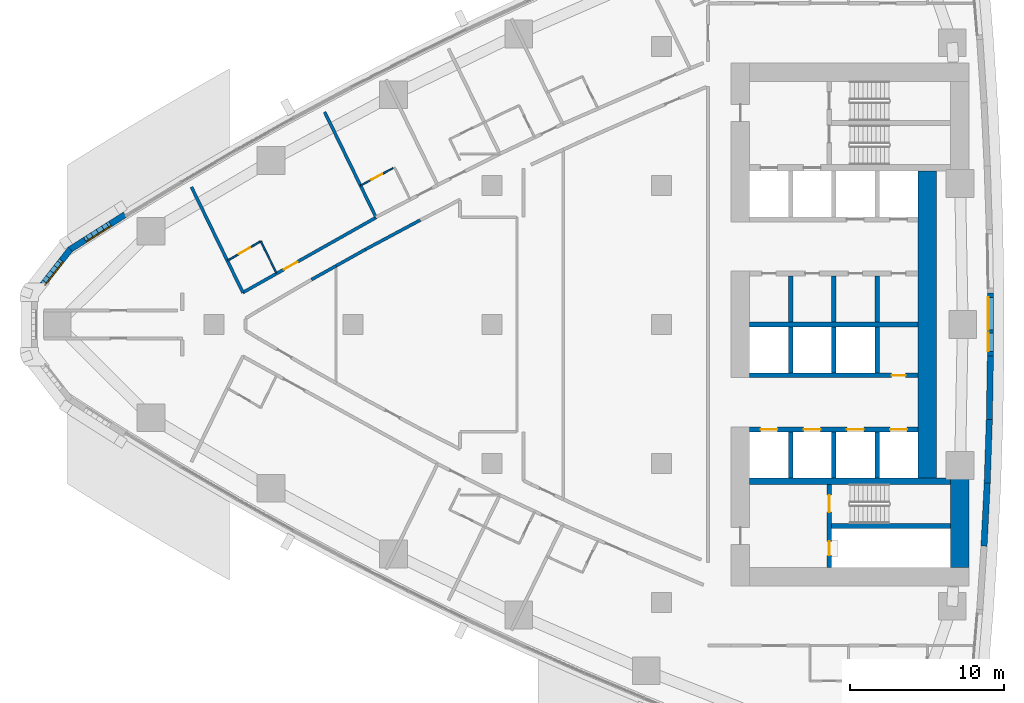
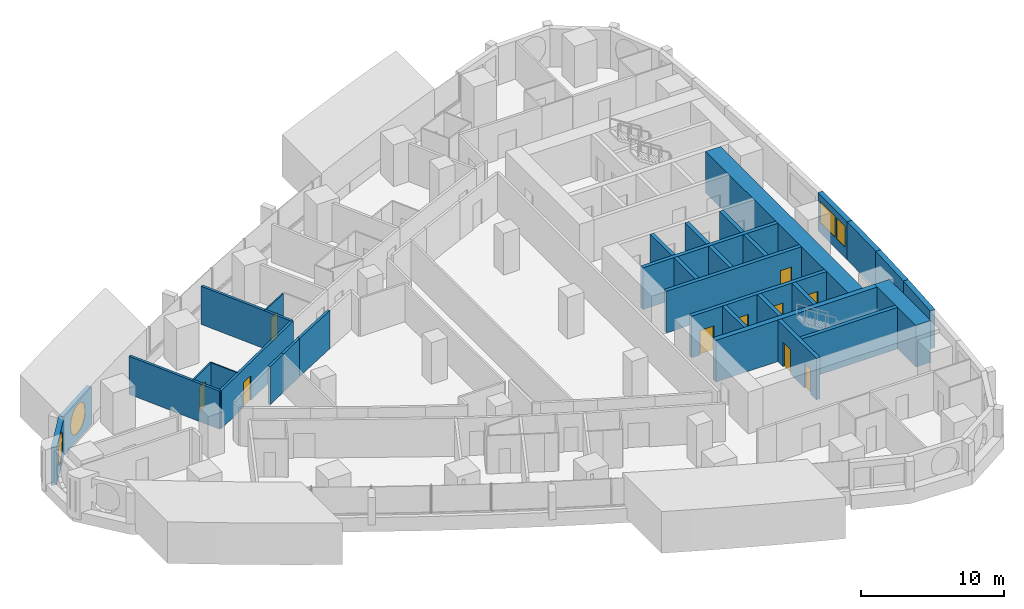
# One storey, part 11 of 19: 32 walls, 10 doors, 4 windows, 14 openings.
"""IFC4 building model written with IfcOpenShell, lengths in metres."""

import ifcopenshell
import ifcopenshell.guid

model = None  # the IFC model being written
_history = None  # IfcOwnerHistory: only IFC2X3 demands one
_inside = {}  # id of a spatial element -> (the spatial element, [elements in it])
_under = {}  # id of a project, library or spatial element -> (it, [spatial elements below it])
_declared = {}  # id of a project -> (the project, [libraries it declares])
_typed = {}  # id of a type object -> (the type object, [elements of that type])
_made_of = {}  # id of a material, layer set ... -> (it, [elements and type objects made of it])


def new_model(schema):
    """Start an empty IFC model of exactly this schema.

    Asked for "IFC4X3", IfcOpenShell would pick the latest addendum, in which some entities
    have other attributes; the version numbers below select the first issue.
    IFC2X3 requires an IfcOwnerHistory on every rooted entity: one is made here for all.
    """
    global model, _history
    if schema == "IFC4X3":
        model = ifcopenshell.file(schema_version=(4, 3, 0, 0))
    else:
        model = ifcopenshell.file(schema=schema)
    _inside.clear()
    _under.clear()
    _declared.clear()
    _typed.clear()
    _made_of.clear()
    _history = None
    if model.schema == "IFC2X3":
        org = make("IfcOrganization", Name="unknown")
        user = make(
            "IfcPersonAndOrganization",
            ThePerson=make("IfcPerson", FamilyName="unknown"),
            TheOrganization=org,
        )
        app = make(
            "IfcApplication",
            ApplicationDeveloper=org,
            Version="unknown",
            ApplicationFullName="unknown",
            ApplicationIdentifier="unknown",
        )
        _history = make(
            "IfcOwnerHistory",
            OwningUser=user,
            OwningApplication=app,
            ChangeAction="ADDED",
            CreationDate=0,
        )
    return model


def make(cls, **values):
    """One entity of the class cls with the attributes given. An attribute that is None is left unset."""
    return model.create_entity(
        cls, **{name: value for name, value in values.items() if value is not None}
    )


def rooted(cls, **values):
    """An entity with a GlobalId (a new one), such as an element, a storey or a relation."""
    return make(cls, GlobalId=ifcopenshell.guid.new(), OwnerHistory=_history, **values)


def si_unit(unit_type, name, prefix=None):
    """IfcSIUnit, for example si_unit("LENGTHUNIT", "METRE", prefix="MILLI")."""
    return make("IfcSIUnit", UnitType=unit_type, Prefix=prefix, Name=name)


def assignment(units):
    """IfcUnitAssignment: the units of a project."""
    return None if units is None else make("IfcUnitAssignment", Units=units)


def point(xyz):
    """IfcCartesianPoint."""
    return None if xyz is None else make("IfcCartesianPoint", Coordinates=xyz)


def direction(xyz):
    """IfcDirection."""
    return None if xyz is None else make("IfcDirection", DirectionRatios=xyz)


def frame(location, z_axis=None, x_axis=None):
    """IfcAxis2Placement3D, a coordinate frame: its origin and axes. An axis left out is left unset."""
    return make(
        "IfcAxis2Placement3D",
        Location=point(location),
        Axis=direction(z_axis),
        RefDirection=direction(x_axis),
    )


def frame_2d(location, x_axis=None):
    """IfcAxis2Placement2D, a coordinate frame in the plane: its origin and x axis."""
    return make(
        "IfcAxis2Placement2D", Location=point(location), RefDirection=direction(x_axis)
    )


def origin():
    """The frame at (0, 0, 0) with its axes left unset."""
    return frame((0.0, 0.0, 0.0))


def place(relative_to, where):
    """IfcLocalPlacement: puts the frame where relative to a parent placement (None: the world)."""
    return make(
        "IfcLocalPlacement", PlacementRelTo=relative_to, RelativePlacement=where
    )


def context(
    kind, dimensions, precision=None, world=None, true_north=None, identifier=None
):
    """IfcGeometricRepresentationContext, for example the 3D "Model" context."""
    return make(
        "IfcGeometricRepresentationContext",
        ContextIdentifier=identifier,
        ContextType=kind,
        CoordinateSpaceDimension=dimensions,
        Precision=precision,
        WorldCoordinateSystem=world,
        TrueNorth=true_north,
    )


def subcontext(parent, identifier, kind, view, scale=None):
    """IfcGeometricRepresentationSubContext, for example "Body" below "Model"."""
    return make(
        "IfcGeometricRepresentationSubContext",
        ContextIdentifier=identifier,
        ContextType=kind,
        ParentContext=parent,
        TargetScale=scale,
        TargetView=view,
    )


def project(units=None, contexts=None):
    """IfcProject with its units and contexts."""
    return rooted(
        "IfcProject",
        Name="project",
        RepresentationContexts=contexts,
        UnitsInContext=assignment(units),
    )


def spatial(cls, under=None, at=None, **own):
    """A site, building, storey or space (cls), placed at a placement, below another one or the project."""
    s = rooted(cls, ObjectPlacement=at, **own)
    if under is not None:
        _under.setdefault(under.id(), (under, []))[1].append(s)
    return s


def polyline(points):
    """IfcPolyline through the points."""
    return make("IfcPolyline", Points=[point(p) for p in points])


def profile(cls, at=None, kind="AREA", **sizes):
    """A parametric profile (cls). Its sizes go by their IFC names, for example OverallWidth=200.0."""
    return make(cls, ProfileType=kind, Position=at, **sizes)


def rectangle(**sizes):
    """IfcRectangleProfileDef."""
    return profile("IfcRectangleProfileDef", **sizes)


def outline(outer, holes=None, kind="AREA"):
    """IfcArbitraryClosedProfileDef: a profile drawn as a closed curve; with holes, ...WithVoids."""
    if holes is None:
        return make("IfcArbitraryClosedProfileDef", ProfileType=kind, OuterCurve=outer)
    return make(
        "IfcArbitraryProfileDefWithVoids",
        ProfileType=kind,
        OuterCurve=outer,
        InnerCurves=holes,
    )


def extrude(swept, where, along, depth):
    """IfcExtrudedAreaSolid: the profile swept, set in the frame where, extruded along a direction by depth."""
    return make(
        "IfcExtrudedAreaSolid",
        SweptArea=swept,
        Position=where,
        ExtrudedDirection=direction(along),
        Depth=depth,
    )


def shape(context_of_items, identifier, shape_type, items):
    """IfcShapeRepresentation: the items that make up one representation, for example the "Body"."""
    return make(
        "IfcShapeRepresentation",
        ContextOfItems=context_of_items,
        RepresentationIdentifier=identifier,
        RepresentationType=shape_type,
        Items=items,
    )


def material(Name=None, Category=None):
    """IfcMaterial."""
    return make("IfcMaterial", Name=Name, Category=Category)


def layer(
    of_material, thickness, ventilated=None, Name=None, Category=None, Priority=None
):
    """IfcMaterialLayer: one layer of a wall or slab, of a material (None: an air gap)."""
    return make(
        "IfcMaterialLayer",
        Material=of_material,
        LayerThickness=thickness,
        IsVentilated=ventilated,
        Name=Name,
        Category=Category,
        Priority=Priority,
    )


def layer_set(layers, Name=None):
    """IfcMaterialLayerSet."""
    return make("IfcMaterialLayerSet", MaterialLayers=layers, LayerSetName=Name)


def made_of(thing, what):
    """Note that an element or type object is made of a material, layer set ...; save() writes the relation."""
    if what is not None:
        _made_of.setdefault(what.id(), (what, []))[1].append(thing)
    return thing


def type_object(cls, material=None, **own):
    """A type object (cls), such as IfcWallType, which elements share."""
    return made_of(rooted(cls, **own), material)


def element(
    cls,
    number,
    at=None,
    inside=None,
    cuts=None,
    type_object=None,
    material=None,
    context=None,
    identifier="Body",
    shape_type=None,
    held_by="IfcProductDefinitionShape",
    body=None,
    shapes=None,
    **own,
):
    """One element of the class cls, such as IfcWall. Its Tag is "e" and its number.

    at: its placement. inside: the storey or other place that contains it. cuts: it is an
    opening in that element (IfcRelVoidsElement). A single representation is given by context,
    identifier, shape_type and body (its items); several are given by shapes. held_by: the class
    of the entity that holds the representations. save() writes the other relations.
    """
    e = rooted(cls, Tag="e%d" % number, ObjectPlacement=at, **own)
    if body is not None:
        shapes = [shape(context, identifier, shape_type, body)]
    if shapes is not None:
        e.Representation = make(held_by, Representations=shapes)
    if inside is not None:
        _inside.setdefault(inside.id(), (inside, []))[1].append(e)
    if cuts is not None:
        rooted(
            "IfcRelVoidsElement", RelatingBuildingElement=cuts, RelatedOpeningElement=e
        )
    if type_object is not None:
        _typed.setdefault(type_object.id(), (type_object, []))[1].append(e)
    return made_of(e, material)


def fill(opening, filler):
    """IfcRelFillsElement: the door or window that sits in an opening."""
    return rooted(
        "IfcRelFillsElement",
        RelatingOpeningElement=opening,
        RelatedBuildingElement=filler,
    )


def aggregate(whole, parts):
    """IfcRelAggregates: a whole, such as a stair, and the parts it consists of."""
    return rooted("IfcRelAggregates", RelatingObject=whole, RelatedObjects=parts)


def save(model, path):
    """Write the relations noted so far, then the file.

    IfcRelAggregates (storeys below a building ...), IfcRelContainedInSpatialStructure (elements
    in a storey), IfcRelDefinesByType, IfcRelAssociatesMaterial and IfcRelDeclares: one each for
    every whole, place, type object, material and project.
    """
    for whole, parts in _under.values():
        aggregate(whole, parts)
    for where, things in _inside.values():
        rooted(
            "IfcRelContainedInSpatialStructure",
            RelatedElements=things,
            RelatingStructure=where,
        )
    for kind, things in _typed.values():
        rooted("IfcRelDefinesByType", RelatedObjects=things, RelatingType=kind)
    for what, things in _made_of.values():
        rooted("IfcRelAssociatesMaterial", RelatedObjects=things, RelatingMaterial=what)
    for by, libraries in _declared.values():
        rooted("IfcRelDeclares", RelatingContext=by, RelatedDefinitions=libraries)
    model.write(path)


model = new_model("IFC4")

# Units and contexts
model_context = context("Model", 3, precision=1e-05, world=origin(), true_north=direction((0.0, 1.0)))
body_context = subcontext(model_context, "Body", "Model", "MODEL_VIEW")
ifc_project = project(units=[si_unit("LENGTHUNIT", "METRE"), si_unit("AREAUNIT", "SQUARE_METRE"), si_unit("VOLUMEUNIT", "CUBIC_METRE"), si_unit("PLANEANGLEUNIT", "RADIAN"), si_unit("MASSUNIT", "GRAM", prefix="KILO")], contexts=[model_context])

# Site, building, storey
site_placement = place(None, origin())
site = spatial("IfcSite", under=ifc_project, at=site_placement, CompositionType="ELEMENT")
building_placement = place(site_placement, origin())
building = spatial("IfcBuilding", under=site, at=building_placement, Name="Ostrand Prow Hotel Tower", CompositionType="ELEMENT")
storey_placement = place(building_placement, frame((0.0, 0.0, 39.60009765625)))
storey = spatial("IfcBuildingStorey", under=building, at=storey_placement, Name="L07", CompositionType="ELEMENT", Elevation=39.60009765625)

# Walls
ifc_material_1 = material(Name="Concrete C80/95", Category="concrete")
ifc_layer_1 = layer(ifc_material_1, 1.199951171875)
ifc_layer_set_1 = layer_set([ifc_layer_1], Name="Concrete C80/95")
wall_type_1 = type_object("IfcWallType", Name="Core wall 1200 C80/95", PredefinedType="SHEAR", material=ifc_layer_set_1)
wall_1_placement = place(storey_placement, frame((64.320068359375, -15.75, 0.0), z_axis=(0.0, 0.0, 1.0), x_axis=(0.0, 1.0, 0.0)))
element("IfcWall", 1, at=wall_1_placement, inside=storey, type_object=wall_type_1, Name="Core wall CW-E-S", PredefinedType="SHEAR", context=body_context, shape_type="SweptSolid", body=[
    extrude(rectangle(XDim=5.800048828125, YDim=1.199951171875, at=frame_2d((2.89990234375, 0.0))), origin(), (0.0, 0.0, 1.0), 3.5498046875),
])
wall_2_placement = place(storey_placement, frame((62.199951171875, -9.949951171875, 0.0), z_axis=(0.0, 0.0, 1.0), x_axis=(0.0, 1.0, 0.0)))
element("IfcWall", 2, at=wall_2_placement, inside=storey, type_object=wall_type_1, Name="Core wall CW-E-C", PredefinedType="SHEAR", context=body_context, shape_type="SweptSolid", body=[
    extrude(rectangle(XDim=19.89990234375, YDim=1.199951171875, at=frame_2d((9.949951171875, 0.0))), origin(), (0.0, 0.0, 1.0), 3.5498046875),
])
ifc_material_2 = material(Name="Concrete C80/95", Category="concrete")
ifc_layer_2 = layer(ifc_material_2, 0.300048828125)
ifc_layer_set_2 = layer_set([ifc_layer_2], Name="Concrete C80/95")
wall_type_2 = type_object("IfcWallType", Name="Core wall 300 C80/95", PredefinedType="SHEAR", material=ifc_layer_set_2)
wall_3_placement = place(storey_placement, frame((50.699951171875, 0.0, 0.0), z_axis=(0.0, 0.0, 1.0), x_axis=(1.0, 0.0, 0.0)))
element("IfcWall", 3, at=wall_3_placement, inside=storey, type_object=wall_type_2, Name="Core wall PW-C", PredefinedType="SHEAR", context=body_context, shape_type="SweptSolid", body=[
    extrude(rectangle(XDim=10.900146484375, YDim=0.300048828125, at=frame_2d((5.4501953125, 0.0))), origin(), (0.0, 0.0, 1.0), 3.5498046875),
])
for number, where, z_axis, x_axis, name in (
    (4, (53.35009765625, 0.14990234375, 0.0), (0.0, 0.0, 1.0), (0.0, 1.0, 0.0), "Core wall PW-R1-NB"),
    (5, (56.14990234375, 0.14990234375, 0.0), (0.0, 0.0, 1.0), (0.0, 1.0, 0.0), "Core wall PW-R2-NB"),
    (6, (58.949951171875, 0.14990234375, 0.0), (0.0, 0.0, 1.0), (0.0, 1.0, 0.0), "Core wall PW-R3-NB"),
):
    element("IfcWall", number, at=place(storey_placement, frame(where, z_axis=z_axis, x_axis=x_axis)), inside=storey, type_object=wall_type_2, Name=name, PredefinedType="SHEAR", context=body_context, shape_type="SweptSolid", body=[
        extrude(rectangle(XDim=3.0, YDim=0.300048828125, at=frame_2d((1.5, 0.0))), origin(), (0.0, 0.0, 1.0), 3.5498046875),
    ])

# Wall, opening, door
wall_4_placement = place(storey_placement, frame((50.699951171875, -3.300048828125, 0.0), z_axis=(0.0, 0.0, 1.0), x_axis=(1.0, 0.0, 0.0)))
wall_4 = element("IfcWall", 7, at=wall_4_placement, inside=storey, type_object=wall_type_2, Name="Core wall PW-L1-S", PredefinedType="SHEAR", context=body_context, shape_type="SweptSolid", body=[
    extrude(rectangle(XDim=10.900146484375, YDim=0.300048828125, at=frame_2d((5.4501953125, 0.0))), origin(), (0.0, 0.0, 1.0), 3.5498046875),
])
opening_1_placement = place(wall_4_placement, frame((9.199951171875, 0.0, 0.0)))
opening_1 = element("IfcOpeningElement", 8, at=opening_1_placement, cuts=wall_4, Name="Opening FD2", PredefinedType="OPENING", context=body_context, shape_type="SweptSolid", body=[
    extrude(rectangle(XDim=0.89990234375, YDim=2.10009765625, at=frame_2d((0.449951171875, 1.050048828125))), frame((0.0, 0.159912109375, 0.0), z_axis=(0.0, -1.0, 0.0), x_axis=(1.0, 0.0, 0.0)), (0.0, 0.0, 1.0), 0.320068359375),
])
ifc_material_3 = material(Name="Steel fire door", Category="steel")
door_type_1 = type_object("IfcDoorType", Name="Fire door 900 EI120", OperationType="SINGLE_SWING_LEFT", PredefinedType="DOOR", material=ifc_material_3)
door_1_placement = place(opening_1_placement, origin())
door_1 = element("IfcDoor", 9, at=door_1_placement, inside=storey, type_object=door_type_1, Name="DOOR", OperationType="SINGLE_SWING_LEFT", OverallHeight=2.10009765625, OverallWidth=0.89990234375, PredefinedType="DOOR", context=body_context, shape_type="SweptSolid", body=[
    extrude(rectangle(XDim=0.89990234375, YDim=2.10009765625, at=frame_2d((0.449951171875, 1.050048828125))), frame((0.0, 0.02490234375, 0.0), z_axis=(0.0, -1.0, 0.0), x_axis=(1.0, 0.0, 0.0)), (0.0, 0.0, 1.0), 0.050048828125),
])
fill(opening_1, door_1)

# Wall, openings, doors
wall_5_placement = place(storey_placement, frame((50.699951171875, -6.800048828125, 0.0), z_axis=(0.0, 0.0, 1.0), x_axis=(1.0, 0.0, 0.0)))
wall_5 = element("IfcWall", 10, at=wall_5_placement, inside=storey, type_object=wall_type_2, Name="Core wall PW-L2-S", PredefinedType="SHEAR", context=body_context, shape_type="SweptSolid", body=[
    extrude(rectangle(XDim=10.900146484375, YDim=0.300048828125, at=frame_2d((5.4501953125, 0.0))), origin(), (0.0, 0.0, 1.0), 3.5498046875),
])
opening_2_placement = place(wall_5_placement, frame((0.699951171875, 0.0, 0.0)))
opening_2 = element("IfcOpeningElement", 11, at=opening_2_placement, cuts=wall_5, Name="Opening LD", PredefinedType="OPENING", context=body_context, shape_type="SweptSolid", body=[
    extrude(rectangle(XDim=1.10009765625, YDim=2.10009765625, at=frame_2d((0.550048828125, 1.050048828125))), frame((0.0, 0.159912109375, 0.0), z_axis=(0.0, -1.0, 0.0), x_axis=(1.0, 0.0, 0.0)), (0.0, 0.0, 1.0), 0.320068359375),
])
opening_3_placement = place(wall_5_placement, frame((3.5, 0.0, 0.0)))
opening_3 = element("IfcOpeningElement", 12, at=opening_3_placement, cuts=wall_5, Name="Opening LD", PredefinedType="OPENING", context=body_context, shape_type="SweptSolid", body=[
    extrude(rectangle(XDim=1.10009765625, YDim=2.10009765625, at=frame_2d((0.550048828125, 1.050048828125))), frame((0.0, 0.159912109375, 0.0), z_axis=(0.0, -1.0, 0.0), x_axis=(1.0, 0.0, 0.0)), (0.0, 0.0, 1.0), 0.320068359375),
])
opening_4_placement = place(wall_5_placement, frame((6.300048828125, 0.0, 0.0)))
opening_4 = element("IfcOpeningElement", 13, at=opening_4_placement, cuts=wall_5, Name="Opening LD", PredefinedType="OPENING", context=body_context, shape_type="SweptSolid", body=[
    extrude(rectangle(XDim=1.10009765625, YDim=2.10009765625, at=frame_2d((0.550048828125, 1.050048828125))), frame((0.0, 0.159912109375, 0.0), z_axis=(0.0, -1.0, 0.0), x_axis=(1.0, 0.0, 0.0)), (0.0, 0.0, 1.0), 0.320068359375),
])
opening_5_placement = place(wall_5_placement, frame((9.10009765625, 0.0, 0.0)))
opening_5 = element("IfcOpeningElement", 14, at=opening_5_placement, cuts=wall_5, Name="Opening LD", PredefinedType="OPENING", context=body_context, shape_type="SweptSolid", body=[
    extrude(rectangle(XDim=1.10009765625, YDim=2.10009765625, at=frame_2d((0.550048828125, 1.050048828125))), frame((0.0, 0.159912109375, 0.0), z_axis=(0.0, -1.0, 0.0), x_axis=(1.0, 0.0, 0.0)), (0.0, 0.0, 1.0), 0.320068359375),
])
ifc_material_4 = material(Name="Stainless steel door", Category="steel")
door_type_2 = type_object("IfcDoorType", Name="Lift landing door 1100", OperationType="DOUBLE_DOOR_SLIDING", PredefinedType="DOOR", material=ifc_material_4)
door_2_placement = place(opening_2_placement, origin())
door_2 = element("IfcDoor", 15, at=door_2_placement, inside=storey, type_object=door_type_2, Name="LIFT LANDING DOOR", OperationType="DOUBLE_DOOR_SLIDING", OverallHeight=2.10009765625, OverallWidth=1.10009765625, PredefinedType="DOOR", context=body_context, shape_type="SweptSolid", body=[
    extrude(rectangle(XDim=1.10009765625, YDim=2.10009765625, at=frame_2d((0.550048828125, 1.050048828125))), frame((0.0, 0.02490234375, 0.0), z_axis=(0.0, -1.0, 0.0), x_axis=(1.0, 0.0, 0.0)), (0.0, 0.0, 1.0), 0.050048828125),
])
fill(opening_2, door_2)
door_3_placement = place(opening_3_placement, origin())
door_3 = element("IfcDoor", 16, at=door_3_placement, inside=storey, type_object=door_type_2, Name="LIFT LANDING DOOR", OperationType="DOUBLE_DOOR_SLIDING", OverallHeight=2.10009765625, OverallWidth=1.10009765625, PredefinedType="DOOR", context=body_context, shape_type="SweptSolid", body=[
    extrude(rectangle(XDim=1.10009765625, YDim=2.10009765625, at=frame_2d((0.550048828125, 1.050048828125))), frame((0.0, 0.02490234375, 0.0), z_axis=(0.0, -1.0, 0.0), x_axis=(1.0, 0.0, 0.0)), (0.0, 0.0, 1.0), 0.050048828125),
])
fill(opening_3, door_3)
door_4_placement = place(opening_4_placement, origin())
door_4 = element("IfcDoor", 17, at=door_4_placement, inside=storey, type_object=door_type_2, Name="LIFT LANDING DOOR", OperationType="DOUBLE_DOOR_SLIDING", OverallHeight=2.10009765625, OverallWidth=1.10009765625, PredefinedType="DOOR", context=body_context, shape_type="SweptSolid", body=[
    extrude(rectangle(XDim=1.10009765625, YDim=2.10009765625, at=frame_2d((0.550048828125, 1.050048828125))), frame((0.0, 0.02490234375, 0.0), z_axis=(0.0, -1.0, 0.0), x_axis=(1.0, 0.0, 0.0)), (0.0, 0.0, 1.0), 0.050048828125),
])
fill(opening_4, door_4)
door_5_placement = place(opening_5_placement, origin())
door_5 = element("IfcDoor", 18, at=door_5_placement, inside=storey, type_object=door_type_2, Name="LIFT LANDING DOOR", OperationType="DOUBLE_DOOR_SLIDING", OverallHeight=2.10009765625, OverallWidth=1.10009765625, PredefinedType="DOOR", context=body_context, shape_type="SweptSolid", body=[
    extrude(rectangle(XDim=1.10009765625, YDim=2.10009765625, at=frame_2d((0.550048828125, 1.050048828125))), frame((0.0, 0.02490234375, 0.0), z_axis=(0.0, -1.0, 0.0), x_axis=(1.0, 0.0, 0.0)), (0.0, 0.0, 1.0), 0.050048828125),
])
fill(opening_5, door_5)

# Walls
for number, where, z_axis, x_axis, name in (
    (19, (53.35009765625, -3.14990234375, 0.0), (0.0, 0.0, 1.0), (0.0, 1.0, 0.0), "Core wall PW-R1-SB"),
    (20, (53.35009765625, -9.949951171875, 0.0), (0.0, 0.0, 1.0), (0.0, 1.0, 0.0), "Core wall PW-R1-SA"),
    (21, (56.14990234375, -3.14990234375, 0.0), (0.0, 0.0, 1.0), (0.0, 1.0, 0.0), "Core wall PW-R2-SB"),
    (22, (56.14990234375, -9.949951171875, 0.0), (0.0, 0.0, 1.0), (0.0, 1.0, 0.0), "Core wall PW-R2-SA"),
    (23, (58.949951171875, -3.14990234375, 0.0), (0.0, 0.0, 1.0), (0.0, 1.0, 0.0), "Core wall PW-R3-SB"),
    (24, (58.949951171875, -9.949951171875, 0.0), (0.0, 0.0, 1.0), (0.0, 1.0, 0.0), "Core wall PW-R3-SA"),
):
    element("IfcWall", number, at=place(storey_placement, frame(where, z_axis=z_axis, x_axis=x_axis)), inside=storey, type_object=wall_type_2, Name=name, PredefinedType="SHEAR", context=body_context, shape_type="SweptSolid", body=[
        extrude(rectangle(XDim=3.0, YDim=0.300048828125, at=frame_2d((1.5, 0.0))), origin(), (0.0, 0.0, 1.0), 3.5498046875),
    ])

# Wall, openings, doors
wall_6_placement = place(storey_placement, frame((55.85009765625, -15.75, 0.0), z_axis=(0.0, 0.0, 1.0), x_axis=(0.0, 1.0, 0.0)))
wall_6 = element("IfcWall", 25, at=wall_6_placement, inside=storey, type_object=wall_type_2, Name="Core wall PW-VS", PredefinedType="SHEAR", context=body_context, shape_type="SweptSolid", body=[
    extrude(rectangle(XDim=5.39990234375, YDim=0.300048828125, at=frame_2d((2.699951171875, 0.0))), origin(), (0.0, 0.0, 1.0), 3.5498046875),
])
opening_6_placement = place(wall_6_placement, frame((3.60009765625, 0.0, 0.0)))
opening_6 = element("IfcOpeningElement", 26, at=opening_6_placement, cuts=wall_6, Name="Opening FD1", PredefinedType="OPENING", context=body_context, shape_type="SweptSolid", body=[
    extrude(rectangle(XDim=1.10009765625, YDim=2.10009765625, at=frame_2d((0.550048828125, 1.050048828125))), frame((0.0, 0.159912109375, 0.0), z_axis=(0.0, -1.0, 0.0), x_axis=(1.0, 0.0, 0.0)), (0.0, 0.0, 1.0), 0.320068359375),
])
opening_7_placement = place(wall_6_placement, frame((0.800048828125, 0.0, 0.0)))
opening_7 = element("IfcOpeningElement", 27, at=opening_7_placement, cuts=wall_6, Name="Opening FD2", PredefinedType="OPENING", context=body_context, shape_type="SweptSolid", body=[
    extrude(rectangle(XDim=0.89990234375, YDim=2.10009765625, at=frame_2d((0.449951171875, 1.050048828125))), frame((0.0, 0.159912109375, 0.0), z_axis=(0.0, -1.0, 0.0), x_axis=(1.0, 0.0, 0.0)), (0.0, 0.0, 1.0), 0.320068359375),
])
ifc_material_5 = material(Name="Steel fire door", Category="steel")
door_type_3 = type_object("IfcDoorType", Name="Fire door 1100 EI120", OperationType="SINGLE_SWING_RIGHT", PredefinedType="DOOR", material=ifc_material_5)
door_6_placement = place(opening_6_placement, origin())
door_6 = element("IfcDoor", 28, at=door_6_placement, inside=storey, type_object=door_type_3, Name="FIRE DOOR", OperationType="SINGLE_SWING_RIGHT", OverallHeight=2.10009765625, OverallWidth=1.10009765625, PredefinedType="DOOR", context=body_context, shape_type="SweptSolid", body=[
    extrude(rectangle(XDim=1.10009765625, YDim=2.10009765625, at=frame_2d((0.550048828125, 1.050048828125))), frame((0.0, 0.02490234375, 0.0), z_axis=(0.0, -1.0, 0.0), x_axis=(1.0, 0.0, 0.0)), (0.0, 0.0, 1.0), 0.050048828125),
])
fill(opening_6, door_6)
door_7_placement = place(opening_7_placement, origin())
door_7 = element("IfcDoor", 29, at=door_7_placement, inside=storey, type_object=door_type_1, Name="FIRE DOOR", OperationType="SINGLE_SWING_LEFT", OverallHeight=2.10009765625, OverallWidth=0.89990234375, PredefinedType="DOOR", context=body_context, shape_type="SweptSolid", body=[
    extrude(rectangle(XDim=0.89990234375, YDim=2.10009765625, at=frame_2d((0.449951171875, 1.050048828125))), frame((0.0, 0.02490234375, 0.0), z_axis=(0.0, -1.0, 0.0), x_axis=(1.0, 0.0, 0.0)), (0.0, 0.0, 1.0), 0.050048828125),
])
fill(opening_7, door_7)

# Walls
wall_7_placement = place(storey_placement, frame((56.0, -13.050048828125, 0.0), z_axis=(0.0, 0.0, 1.0), x_axis=(1.0, 0.0, 0.0)))
element("IfcWall", 30, at=wall_7_placement, inside=storey, type_object=wall_type_2, Name="Core wall PW-ST2R", PredefinedType="SHEAR", context=body_context, shape_type="SweptSolid", body=[
    extrude(rectangle(XDim=7.719970703125, YDim=0.300048828125, at=frame_2d((3.85986328125, 0.0))), origin(), (0.0, 0.0, 1.0), 3.5498046875),
])
ifc_material_6 = material(Name="Concrete C80/95", Category="concrete")
ifc_layer_3 = layer(ifc_material_6, 0.39990234375)
ifc_layer_set_3 = layer_set([ifc_layer_3], Name="Concrete C80/95")
wall_type_3 = type_object("IfcWallType", Name="Core wall 400 C80/95", PredefinedType="SHEAR", material=ifc_layer_set_3)
wall_8_placement = place(storey_placement, frame((50.699951171875, -10.14990234375, 0.0), z_axis=(0.0, 0.0, 1.0), x_axis=(1.0, 0.0, 0.0)))
element("IfcWall", 31, at=wall_8_placement, inside=storey, type_object=wall_type_3, Name="Core wall PW-BS", PredefinedType="SHEAR", context=body_context, shape_type="SweptSolid", body=[
    extrude(rectangle(XDim=13.02001953125, YDim=0.39990234375, at=frame_2d((6.510009765625, 0.0))), origin(), (0.0, 0.0, 1.0), 3.5498046875),
])

# Wall, opening, door
ifc_material_7 = material(Name="Plasterboard partition")
ifc_layer_4 = layer(ifc_material_7, 0.10009765625)
ifc_layer_set_4 = layer_set([ifc_layer_4], Name="Plasterboard partition")
wall_type_4 = type_object("IfcWallType", Name="Partition 100 bathroom wall", PredefinedType="PARTITIONING", material=ifc_layer_set_4)
wall_9_placement = place(storey_placement, frame((16.898193359375, 4.1435546875, 0.0), z_axis=(0.0, 0.0, 1.0), x_axis=(0.863707305865, 0.503993739837, 0.0)))
wall_9 = element("IfcWall", 32, at=wall_9_placement, inside=storey, type_object=wall_type_4, Name="BATHROOM WALL", PredefinedType="PARTITIONING", context=body_context, shape_type="SweptSolid", body=[
    extrude(rectangle(XDim=2.473876953125, YDim=0.10009765625, at=frame_2d((1.23681640625, 0.0))), origin(), (0.0, 0.0, 1.0), 3.25),
])
opening_8_placement = place(wall_9_placement, frame((0.85009765625, 0.0, 0.0)))
opening_8 = element("IfcOpeningElement", 33, at=opening_8_placement, cuts=wall_9, Name="Opening D2", PredefinedType="OPENING", context=body_context, shape_type="SweptSolid", body=[
    extrude(rectangle(XDim=0.800048828125, YDim=2.10009765625, at=frame_2d((0.39990234375, 1.050048828125))), frame((0.0, 0.06005859375, 0.0), z_axis=(0.0, -1.0, 0.0), x_axis=(1.0, 0.0, 0.0)), (0.0, 0.0, 1.0), 0.1201171875),
])
ifc_material_8 = material(Name="Timber door leaf", Category="wood")
door_type_4 = type_object("IfcDoorType", Name="Bathroom door 800", OperationType="SINGLE_SWING_LEFT", PredefinedType="DOOR", material=ifc_material_8)
door_8_placement = place(opening_8_placement, origin())
door_8 = element("IfcDoor", 34, at=door_8_placement, inside=storey, type_object=door_type_4, Name="DOOR", OperationType="SINGLE_SWING_LEFT", OverallHeight=2.10009765625, OverallWidth=0.800048828125, PredefinedType="DOOR", context=body_context, shape_type="SweptSolid", body=[
    extrude(rectangle(XDim=0.800048828125, YDim=2.10009765625, at=frame_2d((0.39990234375, 1.050048828125))), frame((0.0, 0.02490234375, 0.0), z_axis=(0.0, -1.0, 0.0), x_axis=(1.0, 0.0, 0.0)), (0.0, 0.0, 1.0), 0.050048828125),
])
fill(opening_8, door_8)

# Wall
wall_10_placement = place(storey_placement, frame((19.03515625, 5.390380859375, 0.0), z_axis=(0.0, 0.0, 1.0), x_axis=(0.438122322582, -0.898915363344, 0.0)))
element("IfcWall", 35, at=wall_10_placement, inside=storey, type_object=wall_type_4, Name="BATHROOM WALL", PredefinedType="PARTITIONING", context=body_context, shape_type="SweptSolid", body=[
    extrude(rectangle(XDim=2.282958984375, YDim=0.10009765625, at=frame_2d((1.1416015625, 0.0))), origin(), (0.0, 0.0, 1.0), 3.25),
])

# Wall, opening, door
wall_11_placement = place(storey_placement, frame((25.490478515625, 8.998291015625, 0.0), z_axis=(0.0, 0.0, 1.0), x_axis=(0.881666905428, 0.471872300388, 0.0)))
wall_11 = element("IfcWall", 36, at=wall_11_placement, inside=storey, type_object=wall_type_4, Name="BATHROOM WALL", PredefinedType="PARTITIONING", context=body_context, shape_type="SweptSolid", body=[
    extrude(rectangle(XDim=2.38720703125, YDim=0.10009765625, at=frame_2d((1.193603515625, 0.0))), origin(), (0.0, 0.0, 1.0), 3.25),
])
opening_9_placement = place(wall_11_placement, frame((0.800048828125, 0.0, 0.0)))
opening_9 = element("IfcOpeningElement", 37, at=opening_9_placement, cuts=wall_11, Name="Opening D2", PredefinedType="OPENING", context=body_context, shape_type="SweptSolid", body=[
    extrude(rectangle(XDim=0.800048828125, YDim=2.10009765625, at=frame_2d((0.39990234375, 1.050048828125))), frame((0.0, 0.06005859375, 0.0), z_axis=(0.0, -1.0, 0.0), x_axis=(1.0, 0.0, 0.0)), (0.0, 0.0, 1.0), 0.1201171875),
])
door_9_placement = place(opening_9_placement, origin())
door_9 = element("IfcDoor", 38, at=door_9_placement, inside=storey, type_object=door_type_4, Name="DOOR", OperationType="SINGLE_SWING_LEFT", OverallHeight=2.10009765625, OverallWidth=0.800048828125, PredefinedType="DOOR", context=body_context, shape_type="SweptSolid", body=[
    extrude(rectangle(XDim=0.800048828125, YDim=2.10009765625, at=frame_2d((0.39990234375, 1.050048828125))), frame((0.0, 0.02490234375, 0.0), z_axis=(0.0, -1.0, 0.0), x_axis=(1.0, 0.0, 0.0)), (0.0, 0.0, 1.0), 0.050048828125),
])
fill(opening_9, door_9)

ifc_material_9 = material(Name="Plasterboard partition")
ifc_layer_5 = layer(ifc_material_9, 0.199951171875)
ifc_layer_set_5 = layer_set([ifc_layer_5], Name="Plasterboard partition")
wall_type_5 = type_object("IfcWallType", Name="Partition 200 corridor wall", PredefinedType="PARTITIONING", material=ifc_layer_set_5)
wall_12_placement = place(storey_placement, frame((17.87353515625, 2.068115234375, 0.0), z_axis=(0.0, 0.0, 1.0), x_axis=(0.871165632804, 0.490989246544, 0.0)))
wall_12 = element("IfcWall", 39, at=wall_12_placement, inside=storey, type_object=wall_type_5, Name="CORRIDOR WALL", PredefinedType="PARTITIONING", context=body_context, shape_type="SweptSolid", body=[
    extrude(rectangle(XDim=9.901123046875, YDim=0.199951171875, at=frame_2d((4.95068359375, 0.0))), origin(), (0.0, 0.0, 1.0), 3.25),
])
opening_10_placement = place(wall_12_placement, frame((3.050048828125, 0.0, 0.0)))
opening_10 = element("IfcOpeningElement", 40, at=opening_10_placement, cuts=wall_12, Name="Opening D1R", PredefinedType="OPENING", context=body_context, shape_type="SweptSolid", body=[
    extrude(rectangle(XDim=1.0, YDim=2.10009765625, at=frame_2d((0.5, 1.050048828125))), frame((0.0, 0.10986328125, 0.0), z_axis=(0.0, -1.0, 0.0), x_axis=(1.0, 0.0, 0.0)), (0.0, 0.0, 1.0), 0.219970703125),
])
ifc_material_10 = material(Name="Timber door leaf", Category="wood")
door_type_5 = type_object("IfcDoorType", Name="Guest room door 1000 right", OperationType="SINGLE_SWING_RIGHT", PredefinedType="DOOR", material=ifc_material_10)
door_10_placement = place(opening_10_placement, origin())
door_10 = element("IfcDoor", 41, at=door_10_placement, inside=storey, type_object=door_type_5, Name="DOOR", OperationType="SINGLE_SWING_RIGHT", OverallHeight=2.10009765625, OverallWidth=1.0, PredefinedType="DOOR", context=body_context, shape_type="SweptSolid", body=[
    extrude(rectangle(XDim=1.0, YDim=2.10009765625, at=frame_2d((0.5, 1.050048828125))), frame((0.0, 0.02490234375, 0.0), z_axis=(0.0, -1.0, 0.0), x_axis=(1.0, 0.0, 0.0)), (0.0, 0.0, 1.0), 0.050048828125),
])
fill(opening_10, door_10)

# Walls
wall_13_placement = place(storey_placement, frame((22.31201171875, 2.903076171875, 0.0), z_axis=(0.0, 0.0, 1.0), x_axis=(0.872813072418, 0.48805464921, 0.0)))
element("IfcWall", 42, at=wall_13_placement, inside=storey, type_object=wall_type_5, Name="CORRIDOR WALL", PredefinedType="PARTITIONING", context=body_context, shape_type="SweptSolid", body=[
    extrude(rectangle(XDim=1.829345703125, YDim=0.199951171875, at=frame_2d((0.91455078125, 0.0))), origin(), (0.0, 0.0, 1.0), 3.25),
])
wall_14_placement = place(storey_placement, frame((23.90869140625, 3.7958984375, 0.0), z_axis=(0.0, 0.0, 1.0), x_axis=(0.872789592901, 0.48809663646, 0.0)))
element("IfcWall", 43, at=wall_14_placement, inside=storey, type_object=wall_type_5, Name="CORRIDOR WALL", PredefinedType="PARTITIONING", context=body_context, shape_type="SweptSolid", body=[
    extrude(rectangle(XDim=2.186279296875, YDim=0.199951171875, at=frame_2d((1.09326171875, 0.0))), origin(), (0.0, 0.0, 1.0), 3.25),
])
wall_15_placement = place(storey_placement, frame((25.81689453125, 4.863037109375, 0.0), z_axis=(0.0, 0.0, 1.0), x_axis=(0.881655245922, 0.471894084874, 0.0)))
element("IfcWall", 44, at=wall_15_placement, inside=storey, type_object=wall_type_5, Name="CORRIDOR WALL", PredefinedType="PARTITIONING", context=body_context, shape_type="SweptSolid", body=[
    extrude(rectangle(XDim=4.015869140625, YDim=0.199951171875, at=frame_2d((2.0078125, 0.0))), origin(), (0.0, 0.0, 1.0), 3.25),
])
ifc_material_11 = material(Name="Plasterboard partition")
ifc_layer_6 = layer(ifc_material_11, 0.199951171875)
ifc_layer_set_6 = layer_set([ifc_layer_6], Name="Plasterboard partition")
wall_type_6 = type_object("IfcWallType", Name="Partition 200 key partition", PredefinedType="PARTITIONING", material=ifc_layer_set_6)
wall_16_placement = place(storey_placement, frame((17.88232421875, 2.050048828125, 0.0), z_axis=(0.0, 0.0, 1.0), x_axis=(-0.438213564788, 0.898870887078, 0.0)))
element("IfcWall", 45, at=wall_16_placement, inside=storey, type_object=wall_type_6, Name="KEY PARTITION", PredefinedType="PARTITIONING", context=body_context, shape_type="SweptSolid", body=[
    extrude(rectangle(XDim=7.62548828125, YDim=0.199951171875, at=frame_2d((3.812744140625, 0.0))), origin(), (0.0, 0.0, 1.0), 3.25),
])
wall_17_placement = place(storey_placement, frame((26.4990234375, 6.929443359375, 0.0), z_axis=(0.0, 0.0, 1.0), x_axis=(-0.438215539964, 0.898869924146, 0.0)))
element("IfcWall", 46, at=wall_17_placement, inside=storey, type_object=wall_type_6, Name="KEY PARTITION", PredefinedType="PARTITIONING", context=body_context, shape_type="SweptSolid", body=[
    extrude(rectangle(XDim=7.605224609375, YDim=0.199951171875, at=frame_2d((3.802734375, 0.0))), origin(), (0.0, 0.0, 1.0), 3.25),
])

# Wall, opening, window
ifc_material_12 = material(Name="Precast concrete C40/50", Category="concrete")
ifc_layer_7 = layer(ifc_material_12, 0.39990234375)
ifc_layer_set_7 = layer_set([ifc_layer_7], Name="Precast concrete C40/50")
wall_type_7 = type_object("IfcWallType", Name="Stone-faced precast wall 400 mm", PredefinedType="NOTDEFINED", material=ifc_layer_set_7)
wall_18_placement = place(storey_placement, frame((10.24169921875, 7.116455078125, 0.0), z_axis=(0.0, 0.0, 1.0), x_axis=(-0.844551578623, -0.535474211372, 0.0)))
wall_18 = element("IfcWall", 47, at=wall_18_placement, inside=storey, type_object=wall_type_7, Name="Stone-faced wall prow 1", PredefinedType="NOTDEFINED", context=body_context, shape_type="SweptSolid", body=[
    extrude(outline(polyline([(0.0, -0.199951171875), (4.23046875, -0.199951171875), (4.16162109375, 0.199951171875), (0.0, 0.199951171875), (0.0, -0.199951171875)])), origin(), (0.0, 0.0, 1.0), 3.25),
])
opening_11_placement = place(wall_18_placement, frame((0.998046875, 0.0, 0.60009765625)))
opening_11 = element("IfcOpeningElement", 48, at=opening_11_placement, cuts=wall_18, Name="Opening WP1", PredefinedType="OPENING", context=body_context, shape_type="SweptSolid", body=[
    extrude(outline(polyline([(0.0, 1.35009765625), (0.083740234375, 1.77099609375), (0.322265625, 2.127685546875), (0.678955078125, 2.3662109375), (1.10009765625, 2.449951171875), (1.52099609375, 2.3662109375), (1.877685546875, 2.127685546875), (2.1162109375, 1.77099609375), (2.199951171875, 1.35009765625), (2.199951171875, 1.10009765625), (2.1162109375, 0.678955078125), (1.877685546875, 0.322265625), (1.52099609375, 0.083740234375), (1.10009765625, 0.0), (0.678955078125, 0.083740234375), (0.322265625, 0.322265625), (0.083740234375, 0.678955078125), (0.0, 1.099853515625), (0.0, 1.35009765625)])), frame((0.0, 0.2099609375, 0.0), z_axis=(0.0, -1.0, 0.0), x_axis=(1.0, 0.0, 0.0)), (0.0, 0.0, 1.0), 0.419921875),
])
ifc_material_13 = material(Name="Insulated glass in bronze frame", Category="glass")
window_type_1 = type_object("IfcWindowType", Name="Round-ended prow window 2200x2450", PartitioningType="SINGLE_PANEL", PredefinedType="WINDOW", material=ifc_material_13)
window_1_placement = place(opening_11_placement, origin())
window_1 = element("IfcWindow", 49, at=window_1_placement, inside=storey, type_object=window_type_1, Name="Window prow 1.1", OverallHeight=2.449951171875, OverallWidth=2.199951171875, PartitioningType="SINGLE_PANEL", PredefinedType="WINDOW", context=body_context, shape_type="SweptSolid", body=[
    extrude(outline(polyline([(0.0, 1.35009765625), (0.083740234375, 1.77099609375), (0.322265625, 2.127685546875), (0.678955078125, 2.3662109375), (1.10009765625, 2.449951171875), (1.52099609375, 2.3662109375), (1.877685546875, 2.127685546875), (2.1162109375, 1.77099609375), (2.199951171875, 1.35009765625), (2.199951171875, 1.10009765625), (2.1162109375, 0.678955078125), (1.877685546875, 0.322265625), (1.52099609375, 0.083740234375), (1.10009765625, 0.0), (0.678955078125, 0.083740234375), (0.322265625, 0.322265625), (0.083740234375, 0.678955078125), (0.0, 1.099853515625), (0.0, 1.35009765625)])), frame((0.0, 0.169921875, 0.0), z_axis=(0.0, -1.0, 0.0), x_axis=(1.0, 0.0, 0.0)), (0.0, 0.0, 1.0), 0.06005859375),
])
fill(opening_11, window_1)

wall_19_placement = place(storey_placement, frame((6.697998046875, 4.86962890625, 0.0), z_axis=(0.0, 0.0, 1.0), x_axis=(-0.616586647779, -0.787287054245, 0.0)))
wall_19 = element("IfcWall", 50, at=wall_19_placement, inside=storey, type_object=wall_type_7, Name="Stone-faced wall prow 2", PredefinedType="NOTDEFINED", context=body_context, shape_type="SweptSolid", body=[
    extrude(outline(polyline([(-0.034423828125, -0.199951171875), (3.85205078125, -0.199951171875), (3.7138671875, 0.199951171875), (0.034423828125, 0.199951171875), (-0.034423828125, -0.199951171875)])), origin(), (0.0, 0.0, 1.0), 3.25),
])
opening_12_placement = place(wall_19_placement, frame((0.79150390625, 0.0, 0.60009765625)))
opening_12 = element("IfcOpeningElement", 51, at=opening_12_placement, cuts=wall_19, Name="Opening WP1", PredefinedType="OPENING", context=body_context, shape_type="SweptSolid", body=[
    extrude(outline(polyline([(0.0, 1.35009765625), (0.083740234375, 1.77099609375), (0.322265625, 2.127685546875), (0.678955078125, 2.3662109375), (1.10009765625, 2.449951171875), (1.52099609375, 2.3662109375), (1.877685546875, 2.127685546875), (2.1162109375, 1.77099609375), (2.199951171875, 1.35009765625), (2.199951171875, 1.10009765625), (2.1162109375, 0.678955078125), (1.877685546875, 0.322265625), (1.52099609375, 0.083740234375), (1.10009765625, 0.0), (0.678955078125, 0.083740234375), (0.322265625, 0.322265625), (0.083740234375, 0.678955078125), (0.0, 1.099853515625), (0.0, 1.35009765625)])), frame((0.0, 0.2099609375, 0.0), z_axis=(0.0, -1.0, 0.0), x_axis=(1.0, 0.0, 0.0)), (0.0, 0.0, 1.0), 0.419921875),
])
window_2_placement = place(opening_12_placement, origin())
window_2 = element("IfcWindow", 52, at=window_2_placement, inside=storey, type_object=window_type_1, Name="Window prow 2.1", OverallHeight=2.449951171875, OverallWidth=2.199951171875, PartitioningType="SINGLE_PANEL", PredefinedType="WINDOW", context=body_context, shape_type="SweptSolid", body=[
    extrude(outline(polyline([(0.0, 1.35009765625), (0.083740234375, 1.77099609375), (0.322265625, 2.127685546875), (0.678955078125, 2.3662109375), (1.10009765625, 2.449951171875), (1.52099609375, 2.3662109375), (1.877685546875, 2.127685546875), (2.1162109375, 1.77099609375), (2.199951171875, 1.35009765625), (2.199951171875, 1.10009765625), (2.1162109375, 0.678955078125), (1.877685546875, 0.322265625), (1.52099609375, 0.083740234375), (1.10009765625, 0.0), (0.678955078125, 0.083740234375), (0.322265625, 0.322265625), (0.083740234375, 0.678955078125), (0.0, 1.099853515625), (0.0, 1.35009765625)])), frame((0.0, 0.169921875, 0.0), z_axis=(0.0, -1.0, 0.0), x_axis=(1.0, 0.0, 0.0)), (0.0, 0.0, 1.0), 0.06005859375),
])
fill(opening_12, window_2)

# Walls
for number, where, z_axis, x_axis, name in (
    (53, (65.878173828125, -14.359619140625, 0.0), (0.0, 0.0, 1.0), (0.050314326423, 0.998733432181, 0.0), "Stone-faced wall back 7"),
    (54, (66.084716796875, -10.259765625, 0.0), (0.0, 0.0, 1.0), (0.033542554696, 0.999437290191, 0.0), "Stone-faced wall back 8"),
    (55, (66.222412109375, -6.156982421875, 0.0), (0.0, 0.0, 1.0), (0.016830829972, 0.999858351549, 0.0), "Stone-faced wall back 9"),
):
    element("IfcWall", number, at=place(storey_placement, frame(where, z_axis=z_axis, x_axis=x_axis)), inside=storey, type_object=wall_type_7, Name=name, PredefinedType="NOTDEFINED", context=body_context, shape_type="SweptSolid", body=[
        extrude(outline(polyline([(-0.001708984375, -0.199951171875), (4.106689453125, -0.199951171875), (4.103271484375, 0.199951171875), (0.001708984375, 0.199951171875), (-0.001708984375, -0.199951171875)])), origin(), (0.0, 0.0, 1.0), 3.25),
    ])

# Wall, openings, windows
wall_20_placement = place(storey_placement, frame((66.29150390625, -2.052490234375, 0.0), z_axis=(0.0, 0.0, 1.0), x_axis=(0.0, 1.0, 0.0)))
wall_20 = element("IfcWall", 56, at=wall_20_placement, inside=storey, type_object=wall_type_7, Name="Stone-faced wall back 10", PredefinedType="NOTDEFINED", context=body_context, shape_type="SweptSolid", body=[
    extrude(outline(polyline([(-0.001708984375, -0.199951171875), (4.106689453125, -0.199951171875), (4.103271484375, 0.199951171875), (0.001708984375, 0.199951171875), (-0.001708984375, -0.199951171875)])), origin(), (0.0, 0.0, 1.0), 3.25),
])
opening_13_placement = place(wall_20_placement, frame((0.302490234375, 0.0, 0.89990234375)))
opening_13 = element("IfcOpeningElement", 57, at=opening_13_placement, cuts=wall_20, Name="Opening WS4", PredefinedType="OPENING", context=body_context, shape_type="SweptSolid", body=[
    extrude(rectangle(XDim=1.199951171875, YDim=1.800048828125, at=frame_2d((0.60009765625, 0.89990234375))), frame((0.0, 0.2099609375, 0.0), z_axis=(0.0, -1.0, 0.0), x_axis=(1.0, 0.0, 0.0)), (0.0, 0.0, 1.0), 0.419921875),
])
opening_14_placement = place(wall_20_placement, frame((1.702392578125, 0.0, 0.89990234375)))
opening_14 = element("IfcOpeningElement", 58, at=opening_14_placement, cuts=wall_20, Name="Opening WS5-21", PredefinedType="OPENING", context=body_context, shape_type="SweptSolid", body=[
    extrude(rectangle(XDim=2.10009765625, YDim=1.800048828125, at=frame_2d((1.050048828125, 0.89990234375))), frame((0.0, 0.2099609375, 0.0), z_axis=(0.0, -1.0, 0.0), x_axis=(1.0, 0.0, 0.0)), (0.0, 0.0, 1.0), 0.419921875),
])
ifc_material_14 = material(Name="Insulated glass in bronze frame", Category="glass")
window_type_2 = type_object("IfcWindowType", Name="Fixed strip window 2100x1800", PartitioningType="SINGLE_PANEL", PredefinedType="WINDOW", material=ifc_material_14)
window_3_placement = place(opening_14_placement, origin())
window_3 = element("IfcWindow", 59, at=window_3_placement, inside=storey, type_object=window_type_2, Name="Window back 10.2", OverallHeight=1.800048828125, OverallWidth=2.10009765625, PartitioningType="SINGLE_PANEL", PredefinedType="WINDOW", context=body_context, shape_type="SweptSolid", body=[
    extrude(rectangle(XDim=2.10009765625, YDim=1.800048828125, at=frame_2d((1.050048828125, 0.89990234375))), frame((0.0, 0.169921875, 0.0), z_axis=(0.0, -1.0, 0.0), x_axis=(1.0, 0.0, 0.0)), (0.0, 0.0, 1.0), 0.06005859375),
])
fill(opening_14, window_3)
ifc_material_15 = material(Name="Insulated glass in bronze frame", Category="glass")
window_type_3 = type_object("IfcWindowType", Name="Operable strip panel 1200x1800", PartitioningType="SINGLE_PANEL", PredefinedType="WINDOW", material=ifc_material_15)
window_4_placement = place(opening_13_placement, origin())
window_4 = element("IfcWindow", 60, at=window_4_placement, inside=storey, type_object=window_type_3, Name="Window back 10.1", OverallHeight=1.800048828125, OverallWidth=1.199951171875, PartitioningType="SINGLE_PANEL", PredefinedType="WINDOW", context=body_context, shape_type="SweptSolid", body=[
    extrude(rectangle(XDim=1.199951171875, YDim=1.800048828125, at=frame_2d((0.60009765625, 0.89990234375))), frame((0.0, 0.169921875, 0.0), z_axis=(0.0, -1.0, 0.0), x_axis=(1.0, 0.0, 0.0)), (0.0, 0.0, 1.0), 0.06005859375),
])
fill(opening_13, window_4)

save(model, "model.ifc")
